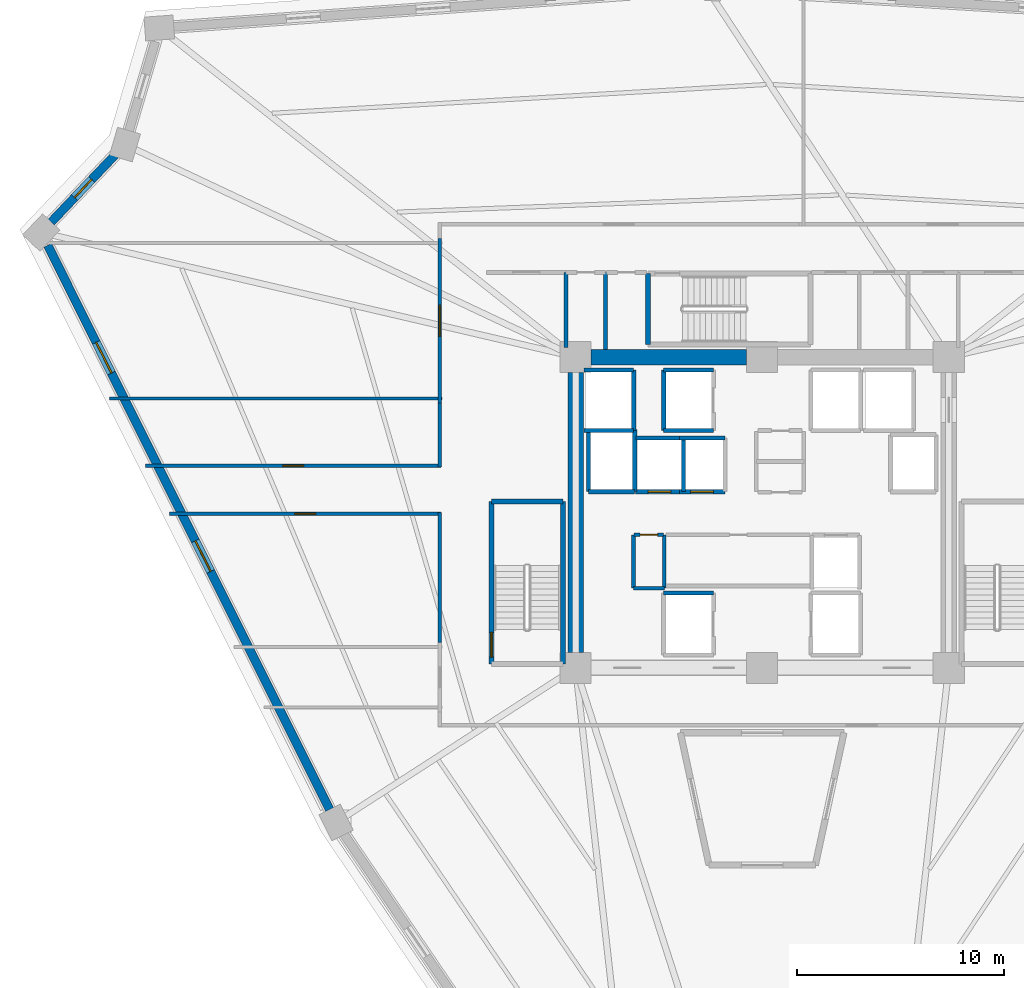
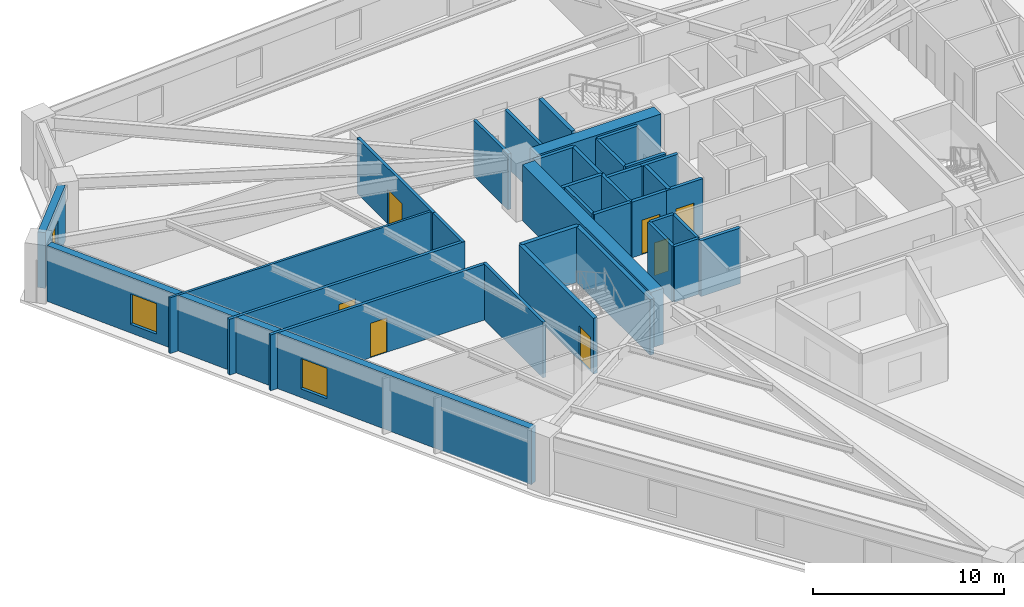
# One storey, part 4 of 10: 35 walls, 7 doors, 3 windows, 10 openings.
"""IFC4 building model written with IfcOpenShell, lengths in metres."""

from ifc_helpers import new_model, si_unit, direction, frame, frame_2d, origin, place, context, subcontext, project, spatial, rectangle, extrude, source, transform, mapped, material, layer, layer_set, type_object, element, fill, save


model = new_model("IFC4")

# Units and contexts
model_context = context("Model", 3, precision=1e-05, world=origin(), true_north=direction((0.0, 1.0)))
body_context = subcontext(model_context, "Body", "Model", "MODEL_VIEW")
ifc_project = project(units=[si_unit("LENGTHUNIT", "METRE"), si_unit("AREAUNIT", "SQUARE_METRE"), si_unit("VOLUMEUNIT", "CUBIC_METRE"), si_unit("PLANEANGLEUNIT", "RADIAN"), si_unit("MASSUNIT", "GRAM", prefix="KILO")], contexts=[model_context])

# Site, building, storey
site_placement = place(None, origin())
site = spatial("IfcSite", under=ifc_project, at=site_placement, CompositionType="ELEMENT")
building_placement = place(site_placement, origin())
building = spatial("IfcBuilding", under=site, at=building_placement, Name="Liaohun Quay Tower", CompositionType="ELEMENT")
storey_placement = place(building_placement, frame((0.0, 0.0, 166.5)))
storey = spatial("IfcBuildingStorey", under=building, at=storey_placement, Name="L43", CompositionType="ELEMENT", Elevation=166.5)

# Walls
ifc_material_1 = material(Name="Concrete C60", Category="concrete")
ifc_layer_1 = layer(ifc_material_1, 0.75, Name="Concrete C60", Category="concrete")
ifc_layer_set_1 = layer_set([ifc_layer_1], Name="Concrete C60")
wall_type_1 = type_object("IfcWallType", Name="WAL-COR-Z2", PredefinedType="SHEAR", material=ifc_layer_set_1)
wall_1_placement = place(storey_placement, frame((51.75, 61.5, 0.0), z_axis=(0.0, 0.0, 1.0), x_axis=(1.0, 0.0, 0.0)))
element("IfcWall", 1, at=wall_1_placement, inside=storey, type_object=wall_type_1, Name="L43 Central Core Shear Wall N-W", PredefinedType="SHEAR", context=body_context, shape_type="SweptSolid", body=[
    extrude(rectangle(XDim=7.5, YDim=0.75, at=frame_2d((3.75, 0.0))), origin(), (0.0, 0.0, 1.0), 3.570068359375),
])
wall_2_placement = place(storey_placement, frame((51.0, 47.25, 0.0), z_axis=(0.0, 0.0, 1.0), x_axis=(0.0, 1.0, 0.0)))
element("IfcWall", 2, at=wall_2_placement, inside=storey, type_object=wall_type_1, Name="L43 Central Core Shear Wall W", PredefinedType="SHEAR", context=body_context, shape_type="SweptSolid", body=[
    extrude(rectangle(XDim=13.5, YDim=0.75, at=frame_2d((6.75, 0.0))), origin(), (0.0, 0.0, 1.0), 3.570068359375),
])

# Wall, opening, window
ifc_material_2 = material(Name="Precast concrete C50 insulated sandwich", Category="concrete")
ifc_layer_2 = layer(ifc_material_2, 0.419921875, Name="Precast concrete C50 insulated sandwich", Category="concrete")
ifc_layer_set_2 = layer_set([ifc_layer_2], Name="Precast concrete C50 insulated sandwich")
wall_type_2 = type_object("IfcWallType", Name="WAL-EXT-Z12", PredefinedType="SOLIDWALL", material=ifc_layer_set_2)
wall_3_placement = place(storey_placement, frame((28.778076171875, 71.2509765625, 0.0), z_axis=(0.0, 0.0, 1.0), x_axis=(-0.689126443885, -0.724641114165, 0.0)))
wall_3 = element("IfcWall", 3, at=wall_3_placement, inside=storey, type_object=wall_type_2, Name="L43 Brutalist Precast Pier Wall 09", PredefinedType="SOLIDWALL", context=body_context, shape_type="SweptSolid", body=[
    extrude(rectangle(XDim=4.47509765625, YDim=0.419921875, at=frame_2d((2.237548828125, 0.0))), origin(), (0.0, 0.0, 1.0), 3.570068359375),
])
shared_shape_1 = source(origin(), body_context, "Body", "SweptSolid", [
    extrude(rectangle(XDim=1.199951171875, YDim=1.89990234375, at=frame_2d((0.60009765625, 0.949951171875))), frame((0.0, 0.219970703125, 0.0), z_axis=(0.0, -1.0, 0.0), x_axis=(1.0, 0.0, 0.0)), (0.0, 0.0, 1.0), 0.43994140625),
])
opening_1_placement = place(wall_3_placement, frame((1.637939453125, 0.0, 0.550048828125)))
opening_1 = element("IfcOpeningElement", 4, at=opening_1_placement, cuts=wall_3, Name="Opening W05", PredefinedType="OPENING", context=body_context, shape_type="MappedRepresentation", body=[
    mapped(shared_shape_1, transform((0.0, 0.0, 0.0), x_axis=(1.0, 0.0, 0.0), y_axis=(0.0, 1.0, 0.0), z_axis=(0.0, 0.0, 1.0), scale=1.0)),
])
ifc_material_3 = material(Name="Triple Low-E corner notch glazing", Category="glass")
window_type_1 = type_object("IfcWindowType", Name="WIN-NOTCH", PartitioningType="SINGLE_PANEL", PredefinedType="WINDOW", material=ifc_material_3)
shared_shape_2 = source(origin(), body_context, "Body", "SweptSolid", [
    extrude(rectangle(XDim=1.199951171875, YDim=1.89990234375, at=frame_2d((0.60009765625, 0.949951171875))), frame((0.0, 0.030029296875, 0.0), z_axis=(0.0, -1.0, 0.0), x_axis=(1.0, 0.0, 0.0)), (0.0, 0.0, 1.0), 0.06005859375),
])
window_1_placement = place(opening_1_placement, origin())
window_1 = element("IfcWindow", 5, at=window_1_placement, inside=storey, type_object=window_type_1, Name="L43 Corner Notch Window W05-09", OverallHeight=1.89990234375, OverallWidth=1.199951171875, PartitioningType="SINGLE_PANEL", PredefinedType="WINDOW", context=body_context, shape_type="MappedRepresentation", body=[
    mapped(shared_shape_2, transform((0.0, 0.0, 0.0), x_axis=(1.0, 0.0, 0.0), y_axis=(0.0, 1.0, 0.0), z_axis=(0.0, 0.0, 1.0), scale=1.0)),
])
fill(opening_1, window_1)

# Wall, openings, windows
wall_4_placement = place(storey_placement, frame((25.52587890625, 66.89111328125, 0.0), z_axis=(0.0, 0.0, 1.0), x_axis=(0.446995422188, -0.894536244399, 0.0)))
wall_4 = element("IfcWall", 6, at=wall_4_placement, inside=storey, type_object=wall_type_2, Name="L43 Brutalist Precast Pier Wall 10", PredefinedType="SOLIDWALL", context=body_context, shape_type="SweptSolid", body=[
    extrude(rectangle(XDim=30.439208984375, YDim=0.419921875, at=frame_2d((15.2197265625, 0.0))), origin(), (0.0, 0.0, 1.0), 3.570068359375),
])
shared_shape_3 = source(origin(), body_context, "Body", "SweptSolid", [
    extrude(rectangle(XDim=1.64990234375, YDim=1.949951171875, at=frame_2d((0.824951171875, 0.97509765625))), frame((0.0, 0.219970703125, 0.0), z_axis=(0.0, -1.0, 0.0), x_axis=(1.0, 0.0, 0.0)), (0.0, 0.0, 1.0), 0.43994140625),
])
opening_2_placement = place(wall_4_placement, frame((5.235107421875, 0.0, 0.550048828125)))
opening_2 = element("IfcOpeningElement", 7, at=opening_2_placement, cuts=wall_4, Name="Opening W02", PredefinedType="OPENING", context=body_context, shape_type="MappedRepresentation", body=[
    mapped(shared_shape_3, transform((0.0, 0.0, 0.0), x_axis=(1.0, 0.0, 0.0), y_axis=(0.0, 1.0, 0.0), z_axis=(0.0, 0.0, 1.0), scale=1.0)),
])
opening_3_placement = place(wall_4_placement, frame((15.945068359375, 0.0, 0.550048828125)))
opening_3 = element("IfcOpeningElement", 8, at=opening_3_placement, cuts=wall_4, Name="Opening W02", PredefinedType="OPENING", context=body_context, shape_type="MappedRepresentation", body=[
    mapped(shared_shape_3, transform((0.0, 0.0, 0.0), x_axis=(1.0, 0.0, 0.0), y_axis=(0.0, 1.0, 0.0), z_axis=(0.0, 0.0, 1.0), scale=1.0)),
])
ifc_material_4 = material(Name="Triple Low-E argon glazing in thermally broken aluminium", Category="aluminium")
window_type_2 = type_object("IfcWindowType", Name="WIN-PUN-Z2", PartitioningType="DOUBLE_PANEL_VERTICAL", PredefinedType="WINDOW", material=ifc_material_4)
shared_shape_4 = source(origin(), body_context, "Body", "SweptSolid", [
    extrude(rectangle(XDim=1.64990234375, YDim=1.949951171875, at=frame_2d((0.824951171875, 0.97509765625))), frame((0.0, 0.030029296875, 0.0), z_axis=(0.0, -1.0, 0.0), x_axis=(1.0, 0.0, 0.0)), (0.0, 0.0, 1.0), 0.06005859375),
])
window_2_placement = place(opening_2_placement, origin())
window_2 = element("IfcWindow", 9, at=window_2_placement, inside=storey, type_object=window_type_2, Name="L43 Recessed Cold-Climate Punched Window 10-1", OverallHeight=1.949951171875, OverallWidth=1.64990234375, PartitioningType="DOUBLE_PANEL_VERTICAL", PredefinedType="WINDOW", context=body_context, shape_type="MappedRepresentation", body=[
    mapped(shared_shape_4, transform((0.0, 0.0, 0.0), x_axis=(1.0, 0.0, 0.0), y_axis=(0.0, 1.0, 0.0), z_axis=(0.0, 0.0, 1.0), scale=1.0)),
])
fill(opening_2, window_2)
window_3_placement = place(opening_3_placement, origin())
window_3 = element("IfcWindow", 10, at=window_3_placement, inside=storey, type_object=window_type_2, Name="L43 Recessed Cold-Climate Punched Window 10-2", OverallHeight=1.949951171875, OverallWidth=1.64990234375, PartitioningType="DOUBLE_PANEL_VERTICAL", PredefinedType="WINDOW", context=body_context, shape_type="MappedRepresentation", body=[
    mapped(shared_shape_4, transform((0.0, 0.0, 0.0), x_axis=(1.0, 0.0, 0.0), y_axis=(0.0, 1.0, 0.0), z_axis=(0.0, 0.0, 1.0), scale=1.0)),
])
fill(opening_3, window_3)

# Wall, opening, door
ifc_material_5 = material(Name="Autoclaved aerated concrete blockwork", Category="masonry")
ifc_layer_3 = layer(ifc_material_5, 0.179931640625, Name="Autoclaved aerated concrete blockwork", Category="masonry")
ifc_layer_set_3 = layer_set([ifc_layer_3], Name="Autoclaved aerated concrete blockwork")
wall_type_3 = type_object("IfcWallType", Name="WAL-PRT-COR", PredefinedType="PARTITIONING", material=ifc_layer_set_3)
wall_5_placement = place(storey_placement, frame((53.820068359375, 52.919921875, 0.0), z_axis=(0.0, 0.0, 1.0), x_axis=(1.0, 0.0, 0.0)))
wall_5 = element("IfcWall", 11, at=wall_5_placement, inside=storey, type_object=wall_type_3, Name="L43 Interior Partition Wall 004", PredefinedType="PARTITIONING", context=body_context, shape_type="SweptSolid", body=[
    extrude(rectangle(XDim=1.429931640625, YDim=0.179931640625, at=frame_2d((0.71484375, 0.0))), origin(), (0.0, 0.0, 1.0), 3.570068359375),
])
shared_shape_5 = source(origin(), body_context, "Body", "SweptSolid", [
    extrude(rectangle(XDim=0.85009765625, YDim=2.10009765625, at=frame_2d((0.425048828125, 1.050048828125))), frame((0.0, 0.099853515625, 0.0), z_axis=(0.0, -1.0, 0.0), x_axis=(1.0, 0.0, 0.0)), (0.0, 0.0, 1.0), 0.199951171875),
])
opening_4_placement = place(wall_5_placement, frame((0.2900390625, 0.0, 0.0)))
opening_4 = element("IfcOpeningElement", 12, at=opening_4_placement, cuts=wall_5, Name="Opening AD1", PredefinedType="OPENING", context=body_context, shape_type="MappedRepresentation", body=[
    mapped(shared_shape_5, transform((0.0, 0.0, 0.0), x_axis=(1.0, 0.0, 0.0), y_axis=(0.0, 1.0, 0.0), z_axis=(0.0, 0.0, 1.0), scale=1.0)),
])
ifc_material_6 = material(Name="Steel riser inspection fire door", Category="steel")
door_type_1 = type_object("IfcDoorType", Name="DOR-SHF-850", OperationType="NOTDEFINED", PredefinedType="DOOR", material=ifc_material_6)
shared_shape_6 = source(origin(), body_context, "Body", "SweptSolid", [
    extrude(rectangle(XDim=0.85009765625, YDim=2.10009765625, at=frame_2d((0.425048828125, 1.050048828125))), frame((0.0, 0.02490234375, 0.0), z_axis=(0.0, -1.0, 0.0), x_axis=(1.0, 0.0, 0.0)), (0.0, 0.0, 1.0), 0.050048828125),
])
door_1_placement = place(opening_4_placement, origin())
door_1 = element("IfcDoor", 13, at=door_1_placement, inside=storey, type_object=door_type_1, Name="L43 Core Fire Hose and Riser Closet Door", OperationType="SINGLE_SWING_LEFT", OverallHeight=2.10009765625, OverallWidth=0.85009765625, PredefinedType="DOOR", context=body_context, shape_type="MappedRepresentation", body=[
    mapped(shared_shape_6, transform((0.0, 0.0, 0.0), x_axis=(1.0, 0.0, 0.0), y_axis=(0.0, 1.0, 0.0), z_axis=(0.0, 0.0, 1.0), scale=1.0)),
])
fill(opening_4, door_1)

wall_6_placement = place(storey_placement, frame((44.43994140625, 59.284912109375, 0.0), z_axis=(0.0, 0.0, 1.0), x_axis=(0.0, 1.0, 0.0)))
wall_6 = element("IfcWall", 14, at=wall_6_placement, inside=storey, type_object=wall_type_3, Name="L43 Interior Partition Wall 018", PredefinedType="PARTITIONING", context=body_context, shape_type="SweptSolid", body=[
    extrude(rectangle(XDim=7.93017578125, YDim=0.179931640625, at=frame_2d((3.965087890625, 0.0))), origin(), (0.0, 0.0, 1.0), 3.570068359375),
])
shared_shape_7 = source(origin(), body_context, "Body", "SweptSolid", [
    extrude(rectangle(XDim=1.5, YDim=2.199951171875, at=frame_2d((0.75, 1.10009765625))), frame((0.0, 0.099853515625, 0.0), z_axis=(0.0, -1.0, 0.0), x_axis=(1.0, 0.0, 0.0)), (0.0, 0.0, 1.0), 0.199951171875),
])
opening_5_placement = place(wall_6_placement, frame((3.215087890625, 0.0, 0.0)))
opening_5 = element("IfcOpeningElement", 15, at=opening_5_placement, cuts=wall_6, Name="Opening OD2", PredefinedType="OPENING", context=body_context, shape_type="MappedRepresentation", body=[
    mapped(shared_shape_7, transform((0.0, 0.0, 0.0), x_axis=(1.0, 0.0, 0.0), y_axis=(0.0, 1.0, 0.0), z_axis=(0.0, 0.0, 1.0), scale=1.0)),
])
ifc_material_7 = material(Name="Acoustic oak veneer double door")
door_type_2 = type_object("IfcDoorType", Name="DOR-OFF-1500", OperationType="DOUBLE_DOOR_SINGLE_SWING", PredefinedType="DOOR", material=ifc_material_7)
shared_shape_8 = source(origin(), body_context, "Body", "SweptSolid", [
    extrude(rectangle(XDim=1.5, YDim=2.199951171875, at=frame_2d((0.75, 1.10009765625))), frame((0.0, 0.02490234375, 0.0), z_axis=(0.0, -1.0, 0.0), x_axis=(1.0, 0.0, 0.0)), (0.0, 0.0, 1.0), 0.050048828125),
])
door_2_placement = place(opening_5_placement, origin())
door_2 = element("IfcDoor", 16, at=door_2_placement, inside=storey, type_object=door_type_2, Name="L43 Project Collaboration Studio 04 Door", OperationType="DOUBLE_DOOR_SINGLE_SWING", OverallHeight=2.199951171875, OverallWidth=1.5, PredefinedType="DOOR", context=body_context, shape_type="MappedRepresentation", body=[
    mapped(shared_shape_8, transform((0.0, 0.0, 0.0), x_axis=(1.0, 0.0, 0.0), y_axis=(0.0, 1.0, 0.0), z_axis=(0.0, 0.0, 1.0), scale=1.0)),
])
fill(opening_5, door_2)

wall_7_placement = place(storey_placement, frame((30.242919921875, 56.260009765625, 0.0), z_axis=(0.0, 0.0, 1.0), x_axis=(1.0, 0.0, 0.0)))
wall_7 = element("IfcWall", 17, at=wall_7_placement, inside=storey, type_object=wall_type_3, Name="L43 Interior Partition Wall 019", PredefinedType="PARTITIONING", context=body_context, shape_type="SweptSolid", body=[
    extrude(rectangle(XDim=14.26708984375, YDim=0.179931640625, at=frame_2d((7.133544921875, 0.0))), origin(), (0.0, 0.0, 1.0), 3.570068359375),
])
shared_shape_9 = source(origin(), body_context, "Body", "SweptSolid", [
    extrude(rectangle(XDim=1.0, YDim=2.199951171875, at=frame_2d((0.5, 1.10009765625))), frame((0.0, 0.099853515625, 0.0), z_axis=(0.0, -1.0, 0.0), x_axis=(1.0, 0.0, 0.0)), (0.0, 0.0, 1.0), 0.199951171875),
])
opening_6_placement = place(wall_7_placement, frame((6.633056640625, 0.0, 0.0)))
opening_6 = element("IfcOpeningElement", 18, at=opening_6_placement, cuts=wall_7, Name="Opening OD1", PredefinedType="OPENING", context=body_context, shape_type="MappedRepresentation", body=[
    mapped(shared_shape_9, transform((0.0, 0.0, 0.0), x_axis=(1.0, 0.0, 0.0), y_axis=(0.0, 1.0, 0.0), z_axis=(0.0, 0.0, 1.0), scale=1.0)),
])
ifc_material_8 = material(Name="Solid-core oak veneer timber leaf in steel frame", Category="steel")
door_type_3 = type_object("IfcDoorType", Name="DOR-OFF-1000", OperationType="NOTDEFINED", PredefinedType="DOOR", material=ifc_material_8)
shared_shape_10 = source(origin(), body_context, "Body", "SweptSolid", [
    extrude(rectangle(XDim=1.0, YDim=2.199951171875, at=frame_2d((0.5, 1.10009765625))), frame((0.0, 0.02490234375, 0.0), z_axis=(0.0, -1.0, 0.0), x_axis=(1.0, 0.0, 0.0)), (0.0, 0.0, 1.0), 0.050048828125),
])
door_3_placement = place(opening_6_placement, origin())
door_3 = element("IfcDoor", 19, at=door_3_placement, inside=storey, type_object=door_type_3, Name="L43 Corporate Exhibition Gallery 05 Door", OperationType="SINGLE_SWING_RIGHT", OverallHeight=2.199951171875, OverallWidth=1.0, PredefinedType="DOOR", context=body_context, shape_type="MappedRepresentation", body=[
    mapped(shared_shape_10, transform((0.0, 0.0, 0.0), x_axis=(1.0, 0.0, 0.0), y_axis=(0.0, 1.0, 0.0), z_axis=(0.0, 0.0, 1.0), scale=1.0)),
])
fill(opening_6, door_3)

wall_8_placement = place(storey_placement, frame((44.510009765625, 53.93994140625, 0.0), z_axis=(0.0, 0.0, 1.0), x_axis=(-1.0, 0.0, 0.0)))
wall_8 = element("IfcWall", 20, at=wall_8_placement, inside=storey, type_object=wall_type_3, Name="L43 Interior Partition Wall 020", PredefinedType="PARTITIONING", context=body_context, shape_type="SweptSolid", body=[
    extrude(rectangle(XDim=13.10791015625, YDim=0.179931640625, at=frame_2d((6.553955078125, 0.0))), origin(), (0.0, 0.0, 1.0), 3.570068359375),
])
opening_7_placement = place(wall_8_placement, frame((6.053955078125, 0.0, 0.0)))
opening_7 = element("IfcOpeningElement", 21, at=opening_7_placement, cuts=wall_8, Name="Opening OD1", PredefinedType="OPENING", context=body_context, shape_type="MappedRepresentation", body=[
    mapped(shared_shape_9, transform((0.0, 0.0, 0.0), x_axis=(1.0, 0.0, 0.0), y_axis=(0.0, 1.0, 0.0), z_axis=(0.0, 0.0, 1.0), scale=1.0)),
])
door_4_placement = place(opening_7_placement, origin())
door_4 = element("IfcDoor", 22, at=door_4_placement, inside=storey, type_object=door_type_3, Name="L43 Staff Tea Kitchen and Pantry 06 Door", OperationType="SINGLE_SWING_LEFT", OverallHeight=2.199951171875, OverallWidth=1.0, PredefinedType="DOOR", context=body_context, shape_type="MappedRepresentation", body=[
    mapped(shared_shape_10, transform((0.0, 0.0, 0.0), x_axis=(1.0, 0.0, 0.0), y_axis=(0.0, 1.0, 0.0), z_axis=(0.0, 0.0, 1.0), scale=1.0)),
])
fill(opening_7, door_4)

# Walls
wall_9_placement = place(storey_placement, frame((53.7900390625, 50.35009765625, 0.0), z_axis=(0.0, 0.0, 1.0), x_axis=(0.0, 1.0, 0.0)))
element("IfcWall", 23, at=wall_9_placement, inside=storey, type_object=wall_type_3, Name="L43 Interior Partition Wall 028", PredefinedType="PARTITIONING", context=body_context, shape_type="SweptSolid", body=[
    extrude(rectangle(XDim=2.56982421875, YDim=0.179931640625, at=frame_2d((1.284912109375, 0.0))), origin(), (0.0, 0.0, 1.0), 3.570068359375),
])
wall_10_placement = place(storey_placement, frame((53.7900390625, 50.35009765625, 0.0), z_axis=(0.0, 0.0, 1.0), x_axis=(1.0, 0.0, 0.0)))
element("IfcWall", 24, at=wall_10_placement, inside=storey, type_object=wall_type_3, Name="L43 Interior Partition Wall 029", PredefinedType="PARTITIONING", context=body_context, shape_type="SweptSolid", body=[
    extrude(rectangle(XDim=1.489990234375, YDim=0.179931640625, at=frame_2d((0.7451171875, 0.0))), origin(), (0.0, 0.0, 1.0), 3.570068359375),
])
wall_11_placement = place(storey_placement, frame((55.280029296875, 50.35009765625, 0.0), z_axis=(0.0, 0.0, 1.0), x_axis=(0.0, 1.0, 0.0)))
element("IfcWall", 25, at=wall_11_placement, inside=storey, type_object=wall_type_3, Name="L43 Interior Partition Wall 030", PredefinedType="PARTITIONING", context=body_context, shape_type="SweptSolid", body=[
    extrude(rectangle(XDim=2.56982421875, YDim=0.179931640625, at=frame_2d((1.284912109375, 0.0))), origin(), (0.0, 0.0, 1.0), 3.570068359375),
])
wall_12_placement = place(storey_placement, frame((50.5400390625, 61.949951171875, 0.0), z_axis=(0.0, 0.0, 1.0), x_axis=(0.0, 1.0, 0.0)))
element("IfcWall", 26, at=wall_12_placement, inside=storey, type_object=wall_type_3, Name="L43 Interior Partition Wall 036", PredefinedType="PARTITIONING", context=body_context, shape_type="SweptSolid", body=[
    extrude(rectangle(XDim=3.630126953125, YDim=0.179931640625, at=frame_2d((1.81494140625, 0.0))), origin(), (0.0, 0.0, 1.0), 3.570068359375),
])
wall_13_placement = place(storey_placement, frame((52.43994140625, 61.875, 0.0), z_axis=(0.0, 0.0, 1.0), x_axis=(0.0, 1.0, 0.0)))
element("IfcWall", 27, at=wall_13_placement, inside=storey, type_object=wall_type_3, Name="L43 Interior Partition Wall 037", PredefinedType="PARTITIONING", context=body_context, shape_type="SweptSolid", body=[
    extrude(rectangle(XDim=3.705078125, YDim=0.179931640625, at=frame_2d((1.8525390625, 0.0))), origin(), (0.0, 0.0, 1.0), 3.570068359375),
])
wall_14_placement = place(storey_placement, frame((44.43994140625, 56.18994140625, 0.0), z_axis=(0.0, 0.0, 1.0), x_axis=(0.0, 1.0, 0.0)))
element("IfcWall", 28, at=wall_14_placement, inside=storey, type_object=wall_type_3, Name="L43 Interior Partition Wall 044", PredefinedType="PARTITIONING", context=body_context, shape_type="SweptSolid", body=[
    extrude(rectangle(XDim=3.094970703125, YDim=0.179931640625, at=frame_2d((1.54736328125, 0.0))), origin(), (0.0, 0.0, 1.0), 3.570068359375),
])
wall_15_placement = place(storey_placement, frame((44.43994140625, 47.715087890625, 0.0), z_axis=(0.0, 0.0, 1.0), x_axis=(0.0, 1.0, 0.0)))
element("IfcWall", 29, at=wall_15_placement, inside=storey, type_object=wall_type_3, Name="L43 Interior Partition Wall 045", PredefinedType="PARTITIONING", context=body_context, shape_type="SweptSolid", body=[
    extrude(rectangle(XDim=6.294921875, YDim=0.179931640625, at=frame_2d((3.1474609375, 0.0))), origin(), (0.0, 0.0, 1.0), 3.570068359375),
])
ifc_material_9 = material(Name="Gypsum board on twin steel studs", Category="steel")
ifc_layer_4 = layer(ifc_material_9, 0.139892578125, Name="Gypsum board on twin steel studs", Category="steel")
ifc_layer_set_4 = layer_set([ifc_layer_4], Name="Gypsum board on twin steel studs")
wall_type_4 = type_object("IfcWallType", Name="WAL-PRT-OFF", PredefinedType="PARTITIONING", material=ifc_layer_set_4)
wall_16_placement = place(storey_placement, frame((44.5400390625, 59.5, 0.0), z_axis=(0.0, 0.0, 1.0), x_axis=(-1.0, 0.0, 0.0)))
element("IfcWall", 30, at=wall_16_placement, inside=storey, type_object=wall_type_4, Name="L43 Interior Partition Wall 051", PredefinedType="PARTITIONING", context=body_context, shape_type="SweptSolid", body=[
    extrude(rectangle(XDim=16.025146484375, YDim=0.139892578125, at=frame_2d((8.0126953125, 0.0))), origin(), (0.0, 0.0, 1.0), 3.570068359375),
])
ifc_material_10 = material(Name="Concrete C50", Category="concrete")
ifc_layer_5 = layer(ifc_material_10, 0.239990234375, Name="Concrete C50", Category="concrete")
ifc_layer_set_5 = layer_set([ifc_layer_5], Name="Concrete C50")
wall_type_5 = type_object("IfcWallType", Name="WAL-SHF-200", PredefinedType="SOLIDWALL", material=ifc_layer_set_5)
wall_17_placement = place(storey_placement, frame((50.3798828125, 46.699951171875, 0.0), z_axis=(0.0, 0.0, 1.0), x_axis=(0.0, 1.0, 0.0)))
element("IfcWall", 31, at=wall_17_placement, inside=storey, type_object=wall_type_5, Name="L43 Stairwell ST-1 Structural Core Wall E", PredefinedType="SOLIDWALL", context=body_context, shape_type="SweptSolid", body=[
    extrude(rectangle(XDim=7.820068359375, YDim=0.239990234375, at=frame_2d((3.91015625, 0.0))), origin(), (0.0, 0.0, 1.0), 3.570068359375),
])
wall_18_placement = place(storey_placement, frame((50.3798828125, 54.52001953125, 0.0), z_axis=(0.0, 0.0, 1.0), x_axis=(-1.0, 0.0, 0.0)))
element("IfcWall", 32, at=wall_18_placement, inside=storey, type_object=wall_type_5, Name="L43 Stairwell ST-1 Structural Core Wall N", PredefinedType="SOLIDWALL", context=body_context, shape_type="SweptSolid", body=[
    extrude(rectangle(XDim=3.43994140625, YDim=0.239990234375, at=frame_2d((1.719970703125, 0.0))), origin(), (0.0, 0.0, 1.0), 3.570068359375),
])

# Wall, opening, door
wall_19_placement = place(storey_placement, frame((46.93994140625, 54.52001953125, 0.0), z_axis=(0.0, 0.0, 1.0), x_axis=(0.0, -1.0, 0.0)))
wall_19 = element("IfcWall", 33, at=wall_19_placement, inside=storey, type_object=wall_type_5, Name="L43 Stairwell ST-1 Structural Core Wall W", PredefinedType="SOLIDWALL", context=body_context, shape_type="SweptSolid", body=[
    extrude(rectangle(XDim=7.820068359375, YDim=0.239990234375, at=frame_2d((3.91015625, 0.0))), origin(), (0.0, 0.0, 1.0), 3.570068359375),
])
shared_shape_11 = source(origin(), body_context, "Body", "SweptSolid", [
    extrude(rectangle(XDim=1.199951171875, YDim=2.199951171875, at=frame_2d((0.60009765625, 1.10009765625))), frame((0.0, 0.1298828125, 0.0), z_axis=(0.0, -1.0, 0.0), x_axis=(1.0, 0.0, 0.0)), (0.0, 0.0, 1.0), 0.260009765625),
])
opening_8_placement = place(wall_19_placement, frame((6.300048828125, 0.0, 0.0)))
opening_8 = element("IfcOpeningElement", 34, at=opening_8_placement, cuts=wall_19, Name="Opening SD1", PredefinedType="OPENING", context=body_context, shape_type="MappedRepresentation", body=[
    mapped(shared_shape_11, transform((0.0, 0.0, 0.0), x_axis=(1.0, 0.0, 0.0), y_axis=(0.0, 1.0, 0.0), z_axis=(0.0, 0.0, 1.0), scale=1.0)),
])
ifc_material_11 = material(Name="Galvanised steel fire door", Category="steel")
door_type_4 = type_object("IfcDoorType", Name="DOR-STR-1200", OperationType="NOTDEFINED", PredefinedType="DOOR", material=ifc_material_11)
shared_shape_12 = source(origin(), body_context, "Body", "SweptSolid", [
    extrude(rectangle(XDim=1.199951171875, YDim=2.199951171875, at=frame_2d((0.60009765625, 1.10009765625))), frame((0.0, 0.02490234375, 0.0), z_axis=(0.0, -1.0, 0.0), x_axis=(1.0, 0.0, 0.0)), (0.0, 0.0, 1.0), 0.050048828125),
])
door_5_placement = place(opening_8_placement, origin())
door_5 = element("IfcDoor", 35, at=door_5_placement, inside=storey, type_object=door_type_4, Name="L43 Protected Stair ST-1 Fire Door", OperationType="SINGLE_SWING_LEFT", OverallHeight=2.199951171875, OverallWidth=1.199951171875, PredefinedType="DOOR", context=body_context, shape_type="MappedRepresentation", body=[
    mapped(shared_shape_12, transform((0.0, 0.0, 0.0), x_axis=(1.0, 0.0, 0.0), y_axis=(0.0, 1.0, 0.0), z_axis=(0.0, 0.0, 1.0), scale=1.0)),
])
fill(opening_8, door_5)

# Walls
wall_20_placement = place(storey_placement, frame((54.5, 65.5400390625, 0.0), z_axis=(0.0, 0.0, 1.0), x_axis=(0.0, -1.0, 0.0)))
element("IfcWall", 36, at=wall_20_placement, inside=storey, type_object=wall_type_5, Name="L43 Stairwell ST-3 Structural Core Wall W", PredefinedType="SOLIDWALL", context=body_context, shape_type="SweptSolid", body=[
    extrude(rectangle(XDim=3.43994140625, YDim=0.239990234375, at=frame_2d((1.719970703125, 0.0))), origin(), (0.0, 0.0, 1.0), 3.570068359375),
])
for number, where, z_axis, x_axis, name in (
    (37, (57.64990234375, 50.1201171875, 0.0), (0.0, 0.0, 1.0), (-1.0, 0.0, 0.0), "L43 Lift FF-01 Hoistway Wall N"),
    (38, (55.25, 57.949951171875, 0.0), (0.0, 0.0, 1.0), (1.0, 0.0, 0.0), "L43 Lift FF-03 Hoistway Wall S"),
    (39, (57.64990234375, 60.8798828125, 0.0), (0.0, 0.0, 1.0), (-1.0, 0.0, 0.0), "L43 Lift FF-03 Hoistway Wall N"),
):
    element("IfcWall", number, at=place(storey_placement, frame(where, z_axis=z_axis, x_axis=x_axis)), inside=storey, type_object=wall_type_5, Name=name, PredefinedType="SOLIDWALL", context=body_context, shape_type="SweptSolid", body=[
        extrude(rectangle(XDim=2.39990234375, YDim=0.199951171875, at=frame_2d((1.199951171875, 0.0))), origin(), (0.0, 0.0, 1.0), 3.570068359375),
    ])
wall_21_placement = place(storey_placement, frame((55.25, 60.8798828125, 0.0), z_axis=(0.0, 0.0, 1.0), x_axis=(0.0, -1.0, 0.0)))
element("IfcWall", 40, at=wall_21_placement, inside=storey, type_object=wall_type_5, Name="L43 Lift FF-03 Hoistway Wall W", PredefinedType="SOLIDWALL", context=body_context, shape_type="SweptSolid", body=[
    extrude(rectangle(XDim=2.929931640625, YDim=0.199951171875, at=frame_2d((1.46484375, 0.0))), origin(), (0.0, 0.0, 1.0), 3.570068359375),
])
wall_22_placement = place(storey_placement, frame((51.39990234375, 57.949951171875, 0.0), z_axis=(0.0, 0.0, 1.0), x_axis=(1.0, 0.0, 0.0)))
element("IfcWall", 41, at=wall_22_placement, inside=storey, type_object=wall_type_5, Name="L43 Lift SH-01 Hoistway Wall S", PredefinedType="SOLIDWALL", context=body_context, shape_type="SweptSolid", body=[
    extrude(rectangle(XDim=2.400146484375, YDim=0.199951171875, at=frame_2d((1.2001953125, 0.0))), origin(), (0.0, 0.0, 1.0), 3.570068359375),
])
wall_23_placement = place(storey_placement, frame((53.800048828125, 57.949951171875, 0.0), z_axis=(0.0, 0.0, 1.0), x_axis=(0.0, 1.0, 0.0)))
element("IfcWall", 42, at=wall_23_placement, inside=storey, type_object=wall_type_5, Name="L43 Lift SH-01 Hoistway Wall E", PredefinedType="SOLIDWALL", context=body_context, shape_type="SweptSolid", body=[
    extrude(rectangle(XDim=2.929931640625, YDim=0.199951171875, at=frame_2d((1.46484375, 0.0))), origin(), (0.0, 0.0, 1.0), 3.570068359375),
])
wall_24_placement = place(storey_placement, frame((53.800048828125, 60.8798828125, 0.0), z_axis=(0.0, 0.0, 1.0), x_axis=(-1.0, 0.0, 0.0)))
element("IfcWall", 43, at=wall_24_placement, inside=storey, type_object=wall_type_5, Name="L43 Lift SH-01 Hoistway Wall N", PredefinedType="SOLIDWALL", context=body_context, shape_type="SweptSolid", body=[
    extrude(rectangle(XDim=2.400146484375, YDim=0.199951171875, at=frame_2d((1.2001953125, 0.0))), origin(), (0.0, 0.0, 1.0), 3.570068359375),
])
wall_25_placement = place(storey_placement, frame((51.6201171875, 55.0, 0.0), z_axis=(0.0, 0.0, 1.0), x_axis=(1.0, 0.0, 0.0)))
element("IfcWall", 44, at=wall_25_placement, inside=storey, type_object=wall_type_5, Name="L43 Lift SH-02 Hoistway Wall S", PredefinedType="SOLIDWALL", context=body_context, shape_type="SweptSolid", body=[
    extrude(rectangle(XDim=2.22998046875, YDim=0.199951171875, at=frame_2d((1.114990234375, 0.0))), origin(), (0.0, 0.0, 1.0), 3.570068359375),
])
for number, where, z_axis, x_axis, name in (
    (45, (53.85009765625, 55.0, 0.0), (0.0, 0.0, 1.0), (0.0, 1.0, 0.0), "L43 Lift SH-02 Hoistway Wall E"),
    (46, (51.6201171875, 58.0, 0.0), (0.0, 0.0, 1.0), (0.0, -1.0, 0.0), "L43 Lift SH-02 Hoistway Wall W"),
):
    element("IfcWall", number, at=place(storey_placement, frame(where, z_axis=z_axis, x_axis=x_axis)), inside=storey, type_object=wall_type_5, Name=name, PredefinedType="SOLIDWALL", context=body_context, shape_type="SweptSolid", body=[
        extrude(rectangle(XDim=3.0, YDim=0.199951171875, at=frame_2d((1.5, 0.0))), origin(), (0.0, 0.0, 1.0), 3.570068359375),
    ])

# Wall, opening, door
wall_26_placement = place(storey_placement, frame((53.89990234375, 55.0, 0.0), z_axis=(0.0, 0.0, 1.0), x_axis=(1.0, 0.0, 0.0)))
wall_26 = element("IfcWall", 47, at=wall_26_placement, inside=storey, type_object=wall_type_5, Name="L43 Lift PL-2B Hoistway Wall S", PredefinedType="SOLIDWALL", context=body_context, shape_type="SweptSolid", body=[
    extrude(rectangle(XDim=2.300048828125, YDim=0.199951171875, at=frame_2d((1.14990234375, 0.0))), origin(), (0.0, 0.0, 1.0), 3.570068359375),
])
shared_shape_13 = source(origin(), body_context, "Body", "SweptSolid", [
    extrude(rectangle(XDim=1.10009765625, YDim=2.199951171875, at=frame_2d((0.550048828125, 1.10009765625))), frame((0.0, 0.10986328125, 0.0), z_axis=(0.0, -1.0, 0.0), x_axis=(1.0, 0.0, 0.0)), (0.0, 0.0, 1.0), 0.219970703125),
])
opening_9_placement = place(wall_26_placement, frame((0.60009765625, 0.0, 0.0)))
opening_9 = element("IfcOpeningElement", 48, at=opening_9_placement, cuts=wall_26, Name="Opening LD1", PredefinedType="OPENING", context=body_context, shape_type="MappedRepresentation", body=[
    mapped(shared_shape_13, transform((0.0, 0.0, 0.0), x_axis=(1.0, 0.0, 0.0), y_axis=(0.0, 1.0, 0.0), z_axis=(0.0, 0.0, 1.0), scale=1.0)),
])
ifc_material_12 = material(Name="Brushed stainless steel landing door", Category="steel")
door_type_5 = type_object("IfcDoorType", Name="DOR-LFT-1100", OperationType="SLIDING_TO_LEFT", PredefinedType="DOOR", material=ifc_material_12)
shared_shape_14 = source(origin(), body_context, "Body", "SweptSolid", [
    extrude(rectangle(XDim=1.10009765625, YDim=2.199951171875, at=frame_2d((0.550048828125, 1.10009765625))), frame((0.0, 0.02490234375, 0.0), z_axis=(0.0, -1.0, 0.0), x_axis=(1.0, 0.0, 0.0)), (0.0, 0.0, 1.0), 0.050048828125),
])
door_6_placement = place(opening_9_placement, origin())
door_6 = element("IfcDoor", 49, at=door_6_placement, inside=storey, type_object=door_type_5, Name="L43 Lift PL-2B Sliding Landing Door", OperationType="SLIDING_TO_LEFT", OverallHeight=2.199951171875, OverallWidth=1.10009765625, PredefinedType="DOOR", context=body_context, shape_type="MappedRepresentation", body=[
    mapped(shared_shape_14, transform((0.0, 0.0, 0.0), x_axis=(1.0, 0.0, 0.0), y_axis=(0.0, 1.0, 0.0), z_axis=(0.0, 0.0, 1.0), scale=1.0)),
])
fill(opening_9, door_6)

# Walls
wall_27_placement = place(storey_placement, frame((56.199951171875, 55.0, 0.0), z_axis=(0.0, 0.0, 1.0), x_axis=(0.0, 1.0, 0.0)))
element("IfcWall", 50, at=wall_27_placement, inside=storey, type_object=wall_type_5, Name="L43 Lift PL-2B Hoistway Wall E", PredefinedType="SOLIDWALL", context=body_context, shape_type="SweptSolid", body=[
    extrude(rectangle(XDim=2.60009765625, YDim=0.199951171875, at=frame_2d((1.300048828125, 0.0))), origin(), (0.0, 0.0, 1.0), 3.570068359375),
])
wall_28_placement = place(storey_placement, frame((56.199951171875, 57.60009765625, 0.0), z_axis=(0.0, 0.0, 1.0), x_axis=(-1.0, 0.0, 0.0)))
element("IfcWall", 51, at=wall_28_placement, inside=storey, type_object=wall_type_5, Name="L43 Lift PL-2B Hoistway Wall N", PredefinedType="SOLIDWALL", context=body_context, shape_type="SweptSolid", body=[
    extrude(rectangle(XDim=2.300048828125, YDim=0.199951171875, at=frame_2d((1.14990234375, 0.0))), origin(), (0.0, 0.0, 1.0), 3.570068359375),
])

# Wall, opening, door
wall_29_placement = place(storey_placement, frame((56.0, 55.0, 0.0), z_axis=(0.0, 0.0, 1.0), x_axis=(1.0, 0.0, 0.0)))
wall_29 = element("IfcWall", 52, at=wall_29_placement, inside=storey, type_object=wall_type_5, Name="L43 Lift PL-2C Hoistway Wall S", PredefinedType="SOLIDWALL", context=body_context, shape_type="SweptSolid", body=[
    extrude(rectangle(XDim=2.199951171875, YDim=0.199951171875, at=frame_2d((1.10009765625, 0.0))), origin(), (0.0, 0.0, 1.0), 3.570068359375),
])
opening_10_placement = place(wall_29_placement, frame((0.550048828125, 0.0, 0.0)))
opening_10 = element("IfcOpeningElement", 53, at=opening_10_placement, cuts=wall_29, Name="Opening LD1", PredefinedType="OPENING", context=body_context, shape_type="MappedRepresentation", body=[
    mapped(shared_shape_13, transform((0.0, 0.0, 0.0), x_axis=(1.0, 0.0, 0.0), y_axis=(0.0, 1.0, 0.0), z_axis=(0.0, 0.0, 1.0), scale=1.0)),
])
door_7_placement = place(opening_10_placement, origin())
door_7 = element("IfcDoor", 54, at=door_7_placement, inside=storey, type_object=door_type_5, Name="L43 Lift PL-2C Sliding Landing Door", OperationType="SLIDING_TO_LEFT", OverallHeight=2.199951171875, OverallWidth=1.10009765625, PredefinedType="DOOR", context=body_context, shape_type="MappedRepresentation", body=[
    mapped(shared_shape_14, transform((0.0, 0.0, 0.0), x_axis=(1.0, 0.0, 0.0), y_axis=(0.0, 1.0, 0.0), z_axis=(0.0, 0.0, 1.0), scale=1.0)),
])
fill(opening_10, door_7)

# Wall
wall_30_placement = place(storey_placement, frame((58.199951171875, 57.60009765625, 0.0), z_axis=(0.0, 0.0, 1.0), x_axis=(-1.0, 0.0, 0.0)))
element("IfcWall", 55, at=wall_30_placement, inside=storey, type_object=wall_type_5, Name="L43 Lift PL-2C Hoistway Wall N", PredefinedType="SOLIDWALL", context=body_context, shape_type="SweptSolid", body=[
    extrude(rectangle(XDim=2.199951171875, YDim=0.199951171875, at=frame_2d((1.10009765625, 0.0))), origin(), (0.0, 0.0, 1.0), 3.570068359375),
])

save(model, "model.ifc")
